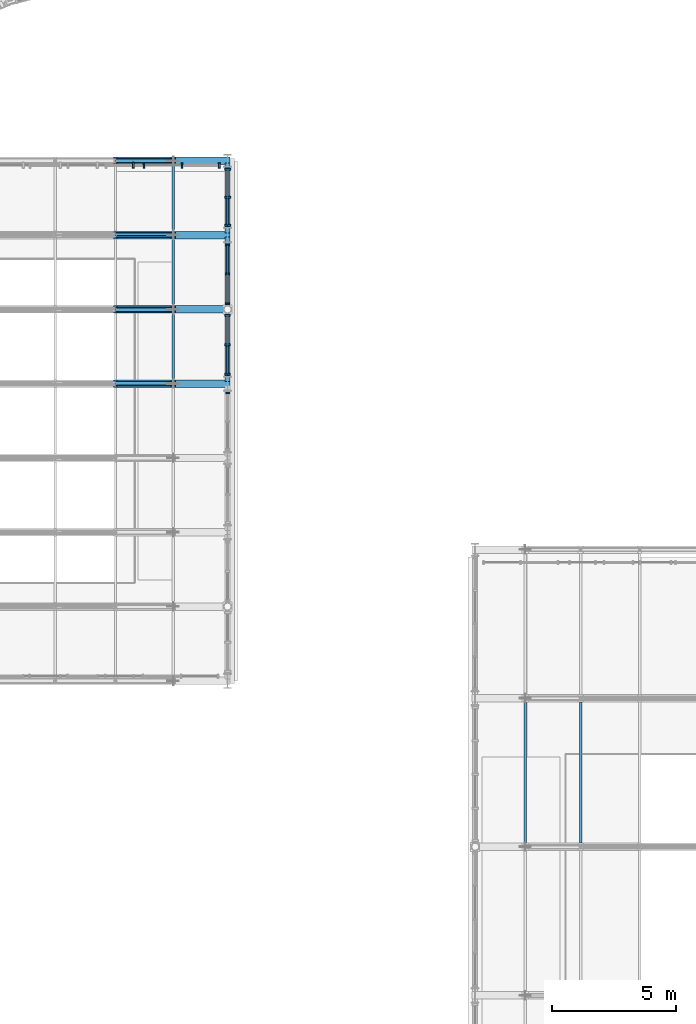
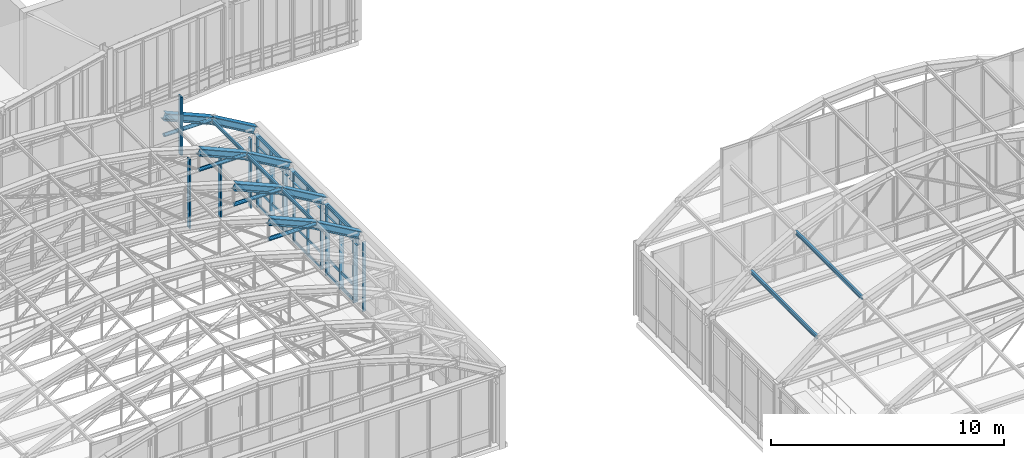
# One storey, part 75 of 148: 27 members, 16 beams, 6 elements without a shape of their own.
"""IFC4 building model written with IfcOpenShell, lengths in metres."""

from ifc_helpers import new_model, si_unit, direction, frame, origin, origin_2d, place, context, subcontext, project, spatial, rectangle, hollow_circle, i_section, extrude, material, layer, layer_set, material_profile, profile_set, type_object, element, aggregate, save


model = new_model("IFC4")

# Units and contexts
model_context = context("Model", 3, precision=1e-05, world=origin(), true_north=direction((0.0, 1.0)))
body_context = subcontext(model_context, "Body", "Model", "MODEL_VIEW")
ifc_project = project(units=[si_unit("LENGTHUNIT", "METRE"), si_unit("AREAUNIT", "SQUARE_METRE"), si_unit("VOLUMEUNIT", "CUBIC_METRE"), si_unit("PLANEANGLEUNIT", "RADIAN"), si_unit("MASSUNIT", "GRAM", prefix="KILO"), si_unit("THERMODYNAMICTEMPERATUREUNIT", "KELVIN"), si_unit("POWERUNIT", "WATT")], contexts=[model_context])

# Site, building, storey
site_placement = place(None, origin())
site = spatial("IfcSite", under=ifc_project, at=site_placement, CompositionType="ELEMENT")
building_placement = place(site_placement, origin())
building = spatial("IfcBuilding", under=site, at=building_placement, Name="Solvatero Civic Police Headquarters", CompositionType="ELEMENT")
storey_placement = place(building_placement, frame((0.0, 0.0, 5.10009765625)))
storey = spatial("IfcBuildingStorey", under=building, at=storey_placement, Name="L01", CompositionType="ELEMENT", Elevation=5.10009765625)

# Beams
ifc_material_1 = material(Name="Steel S355", Category="steel")
ifc_material_profile_1 = material_profile(ifc_material_1, i_section(OverallWidth=0.300048828125, OverallDepth=0.360107421875, WebThickness=0.012451171875, FlangeThickness=0.0224609375, FilletRadius=0.027099609375, at=origin_2d()), Name="HEB 360")
ifc_profile_set_1 = profile_set([ifc_material_profile_1], Name="Steel S355")
beam_type_1 = type_object("IfcBeamType", Name="BM-ST-HEB360", PredefinedType="BEAM", material=ifc_profile_set_1)
beam_1_placement = place(storey_placement, frame((84.27001953125, 53.5, 6.109619140625), z_axis=(0.917917593787, 0.0, -0.396771081377), x_axis=(0.0, 1.0, 0.0)))
element("IfcBeam", 1, at=beam_1_placement, inside=storey, type_object=beam_type_1, Name="VLT2 Tied-Arch Vault Top Chord F5.9", PredefinedType="BEAM", context=body_context, shape_type="SweptSolid", body=[
    extrude(i_section(OverallWidth=0.300048828125, OverallDepth=0.360107421875, WebThickness=0.012451171875, FlangeThickness=0.0224609375, FilletRadius=0.027099609375, at=origin_2d()), origin(), (0.0, 0.0, 1.0), 2.5400390625),
])
beam_2_placement = place(storey_placement, frame((86.6015625, 53.5, 5.079345703125), z_axis=(0.865485501766, 0.0, -0.500933973926), x_axis=(0.0, 1.0, 0.0)))
element("IfcBeam", 2, at=beam_2_placement, inside=storey, type_object=beam_type_1, Name="VLT2 Tied-Arch Vault Top Chord F5.10", PredefinedType="BEAM", context=body_context, shape_type="SweptSolid", body=[
    extrude(i_section(OverallWidth=0.300048828125, OverallDepth=0.360107421875, WebThickness=0.012451171875, FlangeThickness=0.0224609375, FilletRadius=0.027099609375, at=origin_2d()), origin(), (0.0, 0.0, 1.0), 2.540283203125),
])
beam_3_placement = place(storey_placement, frame((84.27001953125, 56.5, 6.109619140625), z_axis=(0.917917593787, 0.0, -0.396771081377), x_axis=(0.0, 1.0, 0.0)))
element("IfcBeam", 3, at=beam_3_placement, inside=storey, type_object=beam_type_1, Name="VLT2 Tied-Arch Vault Top Chord F6.9", PredefinedType="BEAM", context=body_context, shape_type="SweptSolid", body=[
    extrude(i_section(OverallWidth=0.300048828125, OverallDepth=0.360107421875, WebThickness=0.012451171875, FlangeThickness=0.0224609375, FilletRadius=0.027099609375, at=origin_2d()), origin(), (0.0, 0.0, 1.0), 2.5400390625),
])
beam_4_placement = place(storey_placement, frame((86.6015625, 56.5, 5.079345703125), z_axis=(0.865485501766, 0.0, -0.500933973926), x_axis=(0.0, 1.0, 0.0)))
element("IfcBeam", 4, at=beam_4_placement, inside=storey, type_object=beam_type_1, Name="VLT2 Tied-Arch Vault Top Chord F6.10", PredefinedType="BEAM", context=body_context, shape_type="SweptSolid", body=[
    extrude(i_section(OverallWidth=0.300048828125, OverallDepth=0.360107421875, WebThickness=0.012451171875, FlangeThickness=0.0224609375, FilletRadius=0.027099609375, at=origin_2d()), origin(), (0.0, 0.0, 1.0), 2.540283203125),
])
beam_5_placement = place(storey_placement, frame((84.27001953125, 59.5, 6.109619140625), z_axis=(0.917917593787, 0.0, -0.396771081377), x_axis=(0.0, 1.0, 0.0)))
element("IfcBeam", 5, at=beam_5_placement, inside=storey, type_object=beam_type_1, Name="VLT2 Tied-Arch Vault Top Chord F7.9", PredefinedType="BEAM", context=body_context, shape_type="SweptSolid", body=[
    extrude(i_section(OverallWidth=0.300048828125, OverallDepth=0.360107421875, WebThickness=0.012451171875, FlangeThickness=0.0224609375, FilletRadius=0.027099609375, at=origin_2d()), origin(), (0.0, 0.0, 1.0), 2.5400390625),
])
beam_6_placement = place(storey_placement, frame((86.6015625, 59.5, 5.079345703125), z_axis=(0.865485501766, 0.0, -0.500933973926), x_axis=(0.0, 1.0, 0.0)))
element("IfcBeam", 6, at=beam_6_placement, inside=storey, type_object=beam_type_1, Name="VLT2 Tied-Arch Vault Top Chord F7.10", PredefinedType="BEAM", context=body_context, shape_type="SweptSolid", body=[
    extrude(i_section(OverallWidth=0.300048828125, OverallDepth=0.360107421875, WebThickness=0.012451171875, FlangeThickness=0.0224609375, FilletRadius=0.027099609375, at=origin_2d()), origin(), (0.0, 0.0, 1.0), 2.540283203125),
])
for number, where, z_axis, x_axis, name in (
    (7, (84.27001953125, 62.5, 6.14404296875), (0.917917593787, 0.0, -0.396771081377), (0.0, 1.0, 0.0), "VLT2 Tied-Arch Vault Top Chord F8.9"),
    (8, (86.6015625, 62.5, 5.13623046875), (0.865527170093, 0.0, -0.500861974831), (0.0, 1.0, 0.0), "VLT2 Tied-Arch Vault Top Chord F8.10"),
):
    element("IfcBeam", number, at=place(storey_placement, frame(where, z_axis=z_axis, x_axis=x_axis)), inside=storey, type_object=beam_type_1, Name=name, PredefinedType="BEAM", context=body_context, shape_type="SweptSolid", body=[
        extrude(i_section(OverallWidth=0.300048828125, OverallDepth=0.360107421875, WebThickness=0.012451171875, FlangeThickness=0.0224609375, FilletRadius=0.027099609375, at=origin_2d()), origin(), (0.0, 0.0, 1.0), 2.5400390625),
    ])
ifc_material_profile_2 = material_profile(ifc_material_1, i_section(OverallWidth=0.091064453125, OverallDepth=0.179931640625, WebThickness=0.00537109375, FlangeThickness=0.008056640625, FilletRadius=0.009033203125, at=origin_2d()), Name="IPE 180")
ifc_profile_set_2 = profile_set([ifc_material_profile_2], Name="Steel S355")
beam_type_2 = type_object("IfcBeamType", Name="BM-ST-IPE180", PredefinedType="JOIST", material=ifc_profile_set_2)
for number, where, z_axis, x_axis, name in (
    (9, (86.6015625, 53.657958984375, 5.172119140625), (0.0, 1.0, 0.0), (-1.0, 0.0, 0.0), "VLT2 Vault Roof Purlin B5.9"),
    (10, (86.6015625, 56.657958984375, 5.172119140625), (0.0, 1.0, 0.0), (-1.0, 0.0, 0.0), "VLT2 Vault Roof Purlin B6.9"),
    (11, (86.6015625, 59.657958984375, 5.172119140625), (0.0, 1.0, 0.0), (-1.0, 0.0, 0.0), "VLT2 Vault Roof Purlin B7.9"),
):
    element("IfcBeam", number, at=place(storey_placement, frame(where, z_axis=z_axis, x_axis=x_axis)), inside=storey, type_object=beam_type_2, Name=name, PredefinedType="JOIST", context=body_context, shape_type="SweptSolid", body=[
        extrude(i_section(OverallWidth=0.091064453125, OverallDepth=0.179931640625, WebThickness=0.00537109375, FlangeThickness=0.008056640625, FilletRadius=0.009033203125, at=origin_2d()), origin(), (0.0, 0.0, 1.0), 2.68408203125),
    ])
ifc_material_profile_3 = material_profile(ifc_material_1, i_section(OverallWidth=0.10009765625, OverallDepth=0.199951171875, WebThickness=0.005615234375, FlangeThickness=0.008544921875, FilletRadius=0.011962890625, at=origin_2d()), Name="IPE 200")
ifc_profile_set_3 = profile_set([ifc_material_profile_3], Name="Steel S355")
beam_type_3 = type_object("IfcBeamType", Name="BM-ST-IPE200", PredefinedType="JOIST", material=ifc_profile_set_3)
for number, where, z_axis, x_axis, name in (
    (12, (100.822509765625, 34.9580078125, 5.4326171875), (0.0, 1.0, 0.0), (-1.0, 0.0, 0.0), "VLT1 Vault Roof Purlin B6.1"),
    (13, (103.053466796875, 34.9580078125, 6.721435546875), (0.0, 1.0, 0.0), (-1.0, 0.0, 0.0), "VLT1 Vault Roof Purlin B6.2"),
):
    element("IfcBeam", number, at=place(storey_placement, frame(where, z_axis=z_axis, x_axis=x_axis)), inside=storey, type_object=beam_type_3, Name=name, PredefinedType="JOIST", context=body_context, shape_type="SweptSolid", body=[
        extrude(i_section(OverallWidth=0.10009765625, OverallDepth=0.199951171875, WebThickness=0.005615234375, FlangeThickness=0.008544921875, FilletRadius=0.011962890625, at=origin_2d()), origin(), (0.0, 0.0, 1.0), 5.68408203125),
    ])
ifc_material_profile_4 = material_profile(ifc_material_1, i_section(OverallWidth=0.199951171875, OverallDepth=0.5, WebThickness=0.01025390625, FlangeThickness=0.01611328125, FilletRadius=0.02099609375, at=origin_2d()), Name="IPE 500")
ifc_profile_set_4 = profile_set([ifc_material_profile_4], Name="Steel S355")
beam_type_4 = type_object("IfcBeamType", Name="BM-ST-IPE500", PredefinedType="BEAM", material=ifc_profile_set_4)
for number, where, z_axis, x_axis, name in (
    (14, (88.800048828125, 53.580078125, 3.429931640625), (0.0, 1.0, 0.0), (-1.0, 0.0, 0.0), "Primary girder BM-R2-VLT2-SPR-E-B5"),
    (15, (88.800048828125, 56.580078125, 3.429931640625), (0.0, 1.0, 0.0), (-1.0, 0.0, 0.0), "Primary girder BM-R2-VLT2-SPR-E-B6"),
    (16, (88.800048828125, 59.580078125, 3.429931640625), (0.0, 1.0, 0.0), (-1.0, 0.0, 0.0), "Primary girder BM-R2-VLT2-SPR-E-B7"),
):
    element("IfcBeam", number, at=place(storey_placement, frame(where, z_axis=z_axis, x_axis=x_axis)), inside=storey, type_object=beam_type_4, Name=name, PredefinedType="BEAM", context=body_context, shape_type="SweptSolid", body=[
        extrude(i_section(OverallWidth=0.199951171875, OverallDepth=0.5, WebThickness=0.01025390625, FlangeThickness=0.01611328125, FilletRadius=0.02099609375, at=origin_2d()), origin(), (0.0, 0.0, 1.0), 2.83984375),
    ])

# Curtain wall, members
ifc_material_2 = material(Name="Anodized Bronze Aluminium", Category="aluminium")
ifc_layer_1 = layer(ifc_material_2, 0.179931640625)
ifc_layer_set_1 = layer_set([ifc_layer_1], Name="Anodized Bronze Aluminium")
curtain_wall_type_1 = type_object("IfcCurtainWallType", Name="CW-HAL-GLZ", PredefinedType="USERDEFINED", material=ifc_layer_set_1)
curtain_wall_1_placement = place(storey_placement, origin())
curtain_wall_1 = element("IfcCurtainWall", 17, at=curtain_wall_1_placement, inside=storey, type_object=curtain_wall_type_1, Name="Curtain Wall CW-R2-L01-V2-E-B7", ObjectType="UNITISED", PredefinedType="USERDEFINED")
ifc_material_profile_5 = material_profile(ifc_material_2, rectangle(XDim=0.080078125, YDim=0.239990234375, at=origin_2d()), Name="ALU MULLION 80x240")
ifc_profile_set_5 = profile_set([ifc_material_profile_5], Name="Anodized Bronze Aluminium")
member_type_1 = type_object("IfcMemberType", Name="CWM-140x60", PredefinedType="MULLION", material=ifc_profile_set_5)
member_1_placement = place(storey_placement, frame((88.800048828125, 59.889892578125, 0.0), z_axis=(0.0, 0.0, 1.0), x_axis=(0.0, 1.0, 0.0)))
member_1 = element("IfcMember", 18, at=member_1_placement, type_object=member_type_1, Name="CW-R2-L01-V2-E-B7 Mullion 1", PredefinedType="MULLION", context=body_context, shape_type="SweptSolid", body=[
    extrude(rectangle(XDim=0.080078125, YDim=0.239990234375, at=origin_2d()), origin(), (0.0, 0.0, 1.0), 3.659912109375),
])
member_2_placement = place(storey_placement, frame((88.800048828125, 61.02392578125, 0.0), z_axis=(0.0, 0.0, 1.0), x_axis=(0.0, 1.0, 0.0)))
member_2 = element("IfcMember", 19, at=member_2_placement, type_object=member_type_1, Name="CW-R2-L01-V2-E-B7 Mullion 2", PredefinedType="MULLION", context=body_context, shape_type="SweptSolid", body=[
    extrude(rectangle(XDim=0.080078125, YDim=0.239990234375, at=origin_2d()), origin(), (0.0, 0.0, 1.0), 3.659912109375),
])
member_3_placement = place(storey_placement, frame((88.800048828125, 62.157958984375, 0.0), z_axis=(0.0, 0.0, 1.0), x_axis=(0.0, 1.0, 0.0)))
member_3 = element("IfcMember", 20, at=member_3_placement, type_object=member_type_1, Name="CW-R2-L01-V2-E-B7 Mullion 3", PredefinedType="MULLION", context=body_context, shape_type="SweptSolid", body=[
    extrude(rectangle(XDim=0.080078125, YDim=0.239990234375, at=origin_2d()), origin(), (0.0, 0.0, 1.0), 3.659912109375),
])

# Curtain wall, member
ifc_layer_2 = layer(ifc_material_2, 0.179931640625)
ifc_layer_set_2 = layer_set([ifc_layer_2], Name="Anodized Bronze Aluminium")
curtain_wall_type_2 = type_object("IfcCurtainWallType", Name="CW-VLT-TYMP", PredefinedType="USERDEFINED", material=ifc_layer_set_2)
curtain_wall_2_placement = place(storey_placement, origin())
curtain_wall_2 = element("IfcCurtainWall", 21, at=curtain_wall_2_placement, inside=storey, type_object=curtain_wall_type_2, Name="Curtain Wall CW-R2-L01-VLT2-N", ObjectType="UNITISED", PredefinedType="USERDEFINED")
member_4_placement = place(storey_placement, frame((85.0, 62.320068359375, 3.97998046875), z_axis=(0.0, 0.0, 1.0), x_axis=(1.0, 0.0, 0.0)))
member_4 = element("IfcMember", 22, at=member_4_placement, type_object=member_type_1, Name="CW-R2-L01-VLT2-N Mullion 12", PredefinedType="MULLION", context=body_context, shape_type="SweptSolid", body=[
    extrude(rectangle(XDim=0.080078125, YDim=0.239990234375, at=origin_2d()), origin(), (0.0, 0.0, 1.0), 3.06982421875),
])
aggregate(curtain_wall_2, [member_4])

# Curtain wall, members
curtain_wall_3_placement = place(storey_placement, origin())
curtain_wall_3 = element("IfcCurtainWall", 23, at=curtain_wall_3_placement, inside=storey, type_object=curtain_wall_type_1, Name="Curtain Wall CW-R2-L01-V2-E-B6", ObjectType="UNITISED", PredefinedType="USERDEFINED")
ifc_material_profile_6 = material_profile(ifc_material_2, rectangle(XDim=0.06005859375, YDim=0.139892578125, at=origin_2d()), Name="ALU MULLION 60x140")
ifc_profile_set_6 = profile_set([ifc_material_profile_6], Name="Anodized Bronze Aluminium")
member_type_2 = type_object("IfcMemberType", Name="CWM-160x65", PredefinedType="MULLION", material=ifc_profile_set_6)
member_5_placement = place(storey_placement, frame((88.800048828125, 56.741943359375, 0.0), z_axis=(0.0, 0.0, 1.0), x_axis=(0.0, 1.0, 0.0)))
member_5 = element("IfcMember", 24, at=member_5_placement, type_object=member_type_2, Name="CW-R2-L01-V2-E-B6 Mullion 1", PredefinedType="MULLION", context=body_context, shape_type="SweptSolid", body=[
    extrude(rectangle(XDim=0.06005859375, YDim=0.139892578125, at=origin_2d()), origin(), (0.0, 0.0, 1.0), 3.659912109375),
])
member_6_placement = place(storey_placement, frame((88.800048828125, 57.926025390625, 0.0), z_axis=(0.0, 0.0, 1.0), x_axis=(0.0, 1.0, 0.0)))
member_6 = element("IfcMember", 25, at=member_6_placement, type_object=member_type_2, Name="CW-R2-L01-V2-E-B6 Mullion 2", PredefinedType="MULLION", context=body_context, shape_type="SweptSolid", body=[
    extrude(rectangle(XDim=0.06005859375, YDim=0.139892578125, at=origin_2d()), origin(), (0.0, 0.0, 1.0), 3.659912109375),
])
member_7_placement = place(storey_placement, frame((88.800048828125, 59.110107421875, 0.0), z_axis=(0.0, 0.0, 1.0), x_axis=(0.0, 1.0, 0.0)))
member_7 = element("IfcMember", 26, at=member_7_placement, type_object=member_type_2, Name="CW-R2-L01-V2-E-B6 Mullion 3", PredefinedType="MULLION", context=body_context, shape_type="SweptSolid", body=[
    extrude(rectangle(XDim=0.06005859375, YDim=0.139892578125, at=origin_2d()), origin(), (0.0, 0.0, 1.0), 3.659912109375),
])

# Curtain wall, member
curtain_wall_4_placement = place(storey_placement, origin())
curtain_wall_4 = element("IfcCurtainWall", 27, at=curtain_wall_4_placement, inside=storey, type_object=curtain_wall_type_1, Name="Curtain Wall CW-R2-L01-V2-E-B4", ObjectType="UNITISED", PredefinedType="USERDEFINED")
ifc_material_profile_7 = material_profile(ifc_material_2, rectangle(XDim=0.06005859375, YDim=0.159912109375, at=origin_2d()), Name="ALU MULLION 60x160")
ifc_profile_set_7 = profile_set([ifc_material_profile_7], Name="Anodized Bronze Aluminium")
member_type_3 = type_object("IfcMemberType", Name="CWM-180x70", PredefinedType="MULLION", material=ifc_profile_set_7)
member_8_placement = place(storey_placement, frame((88.800048828125, 53.1201171875, 0.0), z_axis=(0.0, 0.0, 1.0), x_axis=(0.0, 1.0, 0.0)))
member_8 = element("IfcMember", 28, at=member_8_placement, type_object=member_type_3, Name="CW-R2-L01-V2-E-B4 Mullion 3", PredefinedType="MULLION", context=body_context, shape_type="SweptSolid", body=[
    extrude(rectangle(XDim=0.06005859375, YDim=0.159912109375, at=origin_2d()), origin(), (0.0, 0.0, 1.0), 3.659912109375),
])
aggregate(curtain_wall_4, [member_8])

# Curtain wall, members
curtain_wall_5_placement = place(storey_placement, origin())
curtain_wall_5 = element("IfcCurtainWall", 29, at=curtain_wall_5_placement, inside=storey, type_object=curtain_wall_type_1, Name="Curtain Wall CW-R2-L01-V2-E-B5", ObjectType="UNITISED", PredefinedType="USERDEFINED")
ifc_material_profile_8 = material_profile(ifc_material_2, rectangle(XDim=0.074951171875, YDim=0.219970703125, at=origin_2d()), Name="ALU MULLION 75x220")
ifc_profile_set_8 = profile_set([ifc_material_profile_8], Name="Anodized Bronze Aluminium")
member_type_4 = type_object("IfcMemberType", Name="CWM-250x85", PredefinedType="MULLION", material=ifc_profile_set_8)
member_9_placement = place(storey_placement, frame((88.800048828125, 53.8798828125, 0.0), z_axis=(0.0, 0.0, 1.0), x_axis=(0.0, 1.0, 0.0)))
member_9 = element("IfcMember", 30, at=member_9_placement, type_object=member_type_4, Name="CW-R2-L01-V2-E-B5 Mullion 1", PredefinedType="MULLION", context=body_context, shape_type="SweptSolid", body=[
    extrude(rectangle(XDim=0.074951171875, YDim=0.219970703125, at=origin_2d()), origin(), (0.0, 0.0, 1.0), 3.659912109375),
])
member_10_placement = place(storey_placement, frame((88.800048828125, 55.069091796875, 0.0), z_axis=(0.0, 0.0, 1.0), x_axis=(0.0, 1.0, 0.0)))
member_10 = element("IfcMember", 31, at=member_10_placement, type_object=member_type_4, Name="CW-R2-L01-V2-E-B5 Mullion 2", PredefinedType="MULLION", context=body_context, shape_type="SweptSolid", body=[
    extrude(rectangle(XDim=0.074951171875, YDim=0.219970703125, at=origin_2d()), origin(), (0.0, 0.0, 1.0), 3.659912109375),
])
member_11_placement = place(storey_placement, frame((88.800048828125, 56.258056640625, 0.0), z_axis=(0.0, 0.0, 1.0), x_axis=(0.0, 1.0, 0.0)))
member_11 = element("IfcMember", 32, at=member_11_placement, type_object=member_type_4, Name="CW-R2-L01-V2-E-B5 Mullion 3", PredefinedType="MULLION", context=body_context, shape_type="SweptSolid", body=[
    extrude(rectangle(XDim=0.074951171875, YDim=0.219970703125, at=origin_2d()), origin(), (0.0, 0.0, 1.0), 3.659912109375),
])

curtain_wall_6_placement = place(storey_placement, origin())
curtain_wall_6 = element("IfcCurtainWall", 33, at=curtain_wall_6_placement, inside=storey, type_object=curtain_wall_type_1, Name="Curtain Wall CW-R2-L01-V2-N", ObjectType="UNITISED", PredefinedType="USERDEFINED")
member_12_placement = place(storey_placement, frame((85.42626953125, 62.320068359375, 0.0), z_axis=(0.0, 0.0, 1.0), x_axis=(1.0, 0.0, 0.0)))
member_12 = element("IfcMember", 34, at=member_12_placement, type_object=member_type_4, Name="CW-R2-L01-V2-N Mullion 14", PredefinedType="MULLION", context=body_context, shape_type="SweptSolid", body=[
    extrude(rectangle(XDim=0.074951171875, YDim=0.219970703125, at=origin_2d()), origin(), (0.0, 0.0, 1.0), 3.619873046875),
])
member_13_placement = place(storey_placement, frame((86.962158203125, 62.320068359375, 0.0), z_axis=(0.0, 0.0, 1.0), x_axis=(1.0, 0.0, 0.0)))
member_13 = element("IfcMember", 35, at=member_13_placement, type_object=member_type_4, Name="CW-R2-L01-V2-N Mullion 15", PredefinedType="MULLION", context=body_context, shape_type="SweptSolid", body=[
    extrude(rectangle(XDim=0.074951171875, YDim=0.219970703125, at=origin_2d()), origin(), (0.0, 0.0, 1.0), 3.619873046875),
])
member_14_placement = place(storey_placement, frame((88.4580078125, 62.320068359375, 0.0), z_axis=(0.0, 0.0, 1.0), x_axis=(1.0, 0.0, 0.0)))
member_14 = element("IfcMember", 36, at=member_14_placement, type_object=member_type_4, Name="CW-R2-L01-V2-N Mullion 16", PredefinedType="MULLION", context=body_context, shape_type="SweptSolid", body=[
    extrude(rectangle(XDim=0.074951171875, YDim=0.219970703125, at=origin_2d()), origin(), (0.0, 0.0, 1.0), 3.619873046875),
])
aggregate(curtain_wall_6, [member_12, member_13, member_14])

# Member
ifc_material_profile_9 = material_profile(ifc_material_2, rectangle(XDim=0.070068359375, YDim=0.159912109375, at=origin_2d()), Name="ALU TRANSOM 70x160")
ifc_profile_set_9 = profile_set([ifc_material_profile_9], Name="Anodized Bronze Aluminium")
member_type_5 = type_object("IfcMemberType", Name="CWT-120x55", PredefinedType="USERDEFINED", material=ifc_profile_set_9)
member_15_placement = place(storey_placement, frame((88.800048828125, 53.889892578125, 0.039794921875), z_axis=(0.0, 1.0, 0.0), x_axis=(-1.0, 0.0, 0.0)))
member_15 = element("IfcMember", 37, at=member_15_placement, type_object=member_type_5, Name="CW-R2-L01-V2-E-B5 Transom 1", ObjectType="TRANSOM", PredefinedType="USERDEFINED", context=body_context, shape_type="SweptSolid", body=[
    extrude(rectangle(XDim=0.070068359375, YDim=0.159912109375, at=origin_2d()), origin(), (0.0, 0.0, 1.0), 2.358154296875),
])

member_16_placement = place(storey_placement, frame((88.800048828125, 53.889892578125, 0.849853515625), z_axis=(0.0, 1.0, 0.0), x_axis=(-1.0, 0.0, 0.0)))
member_16 = element("IfcMember", 38, at=member_16_placement, type_object=member_type_5, Name="CW-R2-L01-V2-E-B5 Transom 2", ObjectType="TRANSOM", PredefinedType="USERDEFINED", context=body_context, shape_type="SweptSolid", body=[
    extrude(rectangle(XDim=0.070068359375, YDim=0.159912109375, at=origin_2d()), origin(), (0.0, 0.0, 1.0), 2.358154296875),
])

member_17_placement = place(storey_placement, frame((88.800048828125, 53.889892578125, 3.619873046875), z_axis=(0.0, 1.0, 0.0), x_axis=(-1.0, 0.0, 0.0)))
member_17 = element("IfcMember", 39, at=member_17_placement, type_object=member_type_5, Name="CW-R2-L01-V2-E-B5 Transom 3", ObjectType="TRANSOM", PredefinedType="USERDEFINED", context=body_context, shape_type="SweptSolid", body=[
    extrude(rectangle(XDim=0.070068359375, YDim=0.159912109375, at=origin_2d()), origin(), (0.0, 0.0, 1.0), 2.358154296875),
])

aggregate(curtain_wall_5, [member_9, member_10, member_11, member_15, member_16, member_17])

ifc_material_profile_10 = material_profile(ifc_material_2, rectangle(XDim=0.06005859375, YDim=0.125, at=origin_2d()), Name="ALU TRANSOM 60x125")
ifc_profile_set_10 = profile_set([ifc_material_profile_10], Name="Anodized Bronze Aluminium")
member_type_6 = type_object("IfcMemberType", Name="CWT-160x65", PredefinedType="USERDEFINED", material=ifc_profile_set_10)
member_18_placement = place(storey_placement, frame((88.800048828125, 56.751953125, 0.039794921875), z_axis=(0.0, 1.0, 0.0), x_axis=(-1.0, 0.0, 0.0)))
member_18 = element("IfcMember", 40, at=member_18_placement, type_object=member_type_6, Name="CW-R2-L01-V2-E-B6 Transom 1", ObjectType="TRANSOM", PredefinedType="USERDEFINED", context=body_context, shape_type="SweptSolid", body=[
    extrude(rectangle(XDim=0.06005859375, YDim=0.125, at=origin_2d()), origin(), (0.0, 0.0, 1.0), 2.34814453125),
])

member_19_placement = place(storey_placement, frame((88.800048828125, 56.751953125, 0.849853515625), z_axis=(0.0, 1.0, 0.0), x_axis=(-1.0, 0.0, 0.0)))
member_19 = element("IfcMember", 41, at=member_19_placement, type_object=member_type_6, Name="CW-R2-L01-V2-E-B6 Transom 2", ObjectType="TRANSOM", PredefinedType="USERDEFINED", context=body_context, shape_type="SweptSolid", body=[
    extrude(rectangle(XDim=0.06005859375, YDim=0.125, at=origin_2d()), origin(), (0.0, 0.0, 1.0), 2.34814453125),
])

member_20_placement = place(storey_placement, frame((88.800048828125, 56.751953125, 3.619873046875), z_axis=(0.0, 1.0, 0.0), x_axis=(-1.0, 0.0, 0.0)))
member_20 = element("IfcMember", 42, at=member_20_placement, type_object=member_type_6, Name="CW-R2-L01-V2-E-B6 Transom 3", ObjectType="TRANSOM", PredefinedType="USERDEFINED", context=body_context, shape_type="SweptSolid", body=[
    extrude(rectangle(XDim=0.06005859375, YDim=0.125, at=origin_2d()), origin(), (0.0, 0.0, 1.0), 2.34814453125),
])

aggregate(curtain_wall_3, [member_5, member_6, member_7, member_18, member_19, member_20])

ifc_material_profile_11 = material_profile(ifc_material_2, rectangle(XDim=0.06494140625, YDim=0.139892578125, at=origin_2d()), Name="ALU TRANSOM 65x140")
ifc_profile_set_11 = profile_set([ifc_material_profile_11], Name="Anodized Bronze Aluminium")
member_type_7 = type_object("IfcMemberType", Name="CWT-180x70", PredefinedType="USERDEFINED", material=ifc_profile_set_11)
member_21_placement = place(storey_placement, frame((88.800048828125, 59.89990234375, 0.039794921875), z_axis=(0.0, 1.0, 0.0), x_axis=(-1.0, 0.0, 0.0)))
member_21 = element("IfcMember", 43, at=member_21_placement, type_object=member_type_7, Name="CW-R2-L01-V2-E-B7 Transom 1", ObjectType="TRANSOM", PredefinedType="USERDEFINED", context=body_context, shape_type="SweptSolid", body=[
    extrude(rectangle(XDim=0.06494140625, YDim=0.139892578125, at=origin_2d()), origin(), (0.0, 0.0, 1.0), 2.248046875),
])

member_22_placement = place(storey_placement, frame((88.800048828125, 59.89990234375, 0.849853515625), z_axis=(0.0, 1.0, 0.0), x_axis=(-1.0, 0.0, 0.0)))
member_22 = element("IfcMember", 44, at=member_22_placement, type_object=member_type_7, Name="CW-R2-L01-V2-E-B7 Transom 2", ObjectType="TRANSOM", PredefinedType="USERDEFINED", context=body_context, shape_type="SweptSolid", body=[
    extrude(rectangle(XDim=0.06494140625, YDim=0.139892578125, at=origin_2d()), origin(), (0.0, 0.0, 1.0), 2.248046875),
])

member_23_placement = place(storey_placement, frame((88.800048828125, 59.89990234375, 3.619873046875), z_axis=(0.0, 1.0, 0.0), x_axis=(-1.0, 0.0, 0.0)))
member_23 = element("IfcMember", 45, at=member_23_placement, type_object=member_type_7, Name="CW-R2-L01-V2-E-B7 Transom 3", ObjectType="TRANSOM", PredefinedType="USERDEFINED", context=body_context, shape_type="SweptSolid", body=[
    extrude(rectangle(XDim=0.06494140625, YDim=0.139892578125, at=origin_2d()), origin(), (0.0, 0.0, 1.0), 2.248046875),
])

aggregate(curtain_wall_1, [member_1, member_2, member_3, member_21, member_22, member_23])

# Members
ifc_material_profile_12 = material_profile(ifc_material_1, hollow_circle(Radius=0.096923828125, WallThickness=0.010009765625, at=origin_2d()), Name="CHS 193.7x10.0")
ifc_profile_set_12 = profile_set([ifc_material_profile_12], Name="Steel S355")
member_type_8 = type_object("IfcMemberType", Name="MB-TIE-CHS194", PredefinedType="CHORD", material=ifc_profile_set_12)
for number, where, z_axis, x_axis, name in (
    (46, (84.27001953125, 53.5, 5.13623046875), (1.0, 0.0, 0.0), (0.0, 1.0, 0.0), "VLT2 Vault Horizontal Tie Chord F5.8"),
    (47, (84.27001953125, 56.5, 5.13623046875), (1.0, 0.0, 0.0), (0.0, 1.0, 0.0), "VLT2 Vault Horizontal Tie Chord F6.8"),
    (48, (84.27001953125, 59.5, 5.13623046875), (1.0, 0.0, 0.0), (0.0, 1.0, 0.0), "VLT2 Vault Horizontal Tie Chord F7.8"),
    (49, (84.27001953125, 62.5, 5.13623046875), (1.0, 0.0, 0.0), (0.0, 1.0, 0.0), "VLT2 Vault Horizontal Tie Chord F8.8"),
):
    element("IfcMember", number, at=place(storey_placement, frame(where, z_axis=z_axis, x_axis=x_axis)), inside=storey, type_object=member_type_8, Name=name, PredefinedType="CHORD", context=body_context, shape_type="SweptSolid", body=[
        extrude(hollow_circle(Radius=0.096923828125, WallThickness=0.010009765625, at=origin_2d()), origin(), (0.0, 0.0, 1.0), 2.33154296875),
    ])

save(model, "model.ifc")
